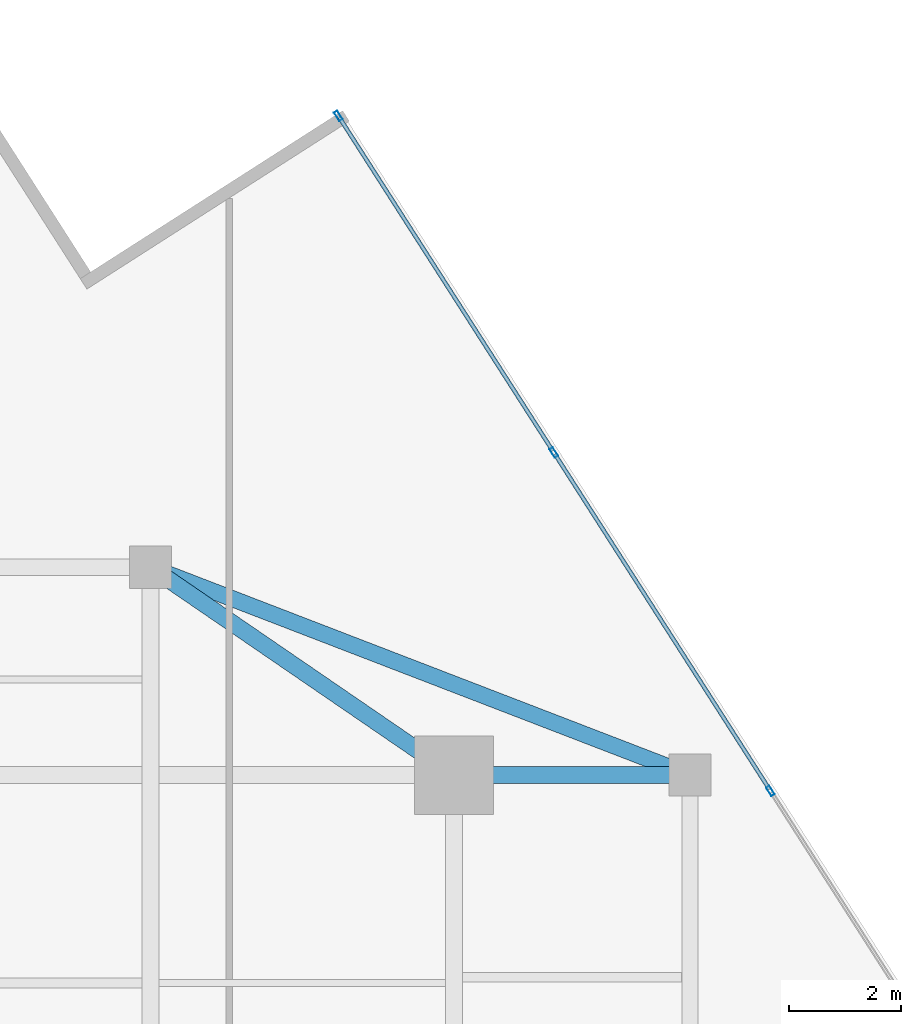
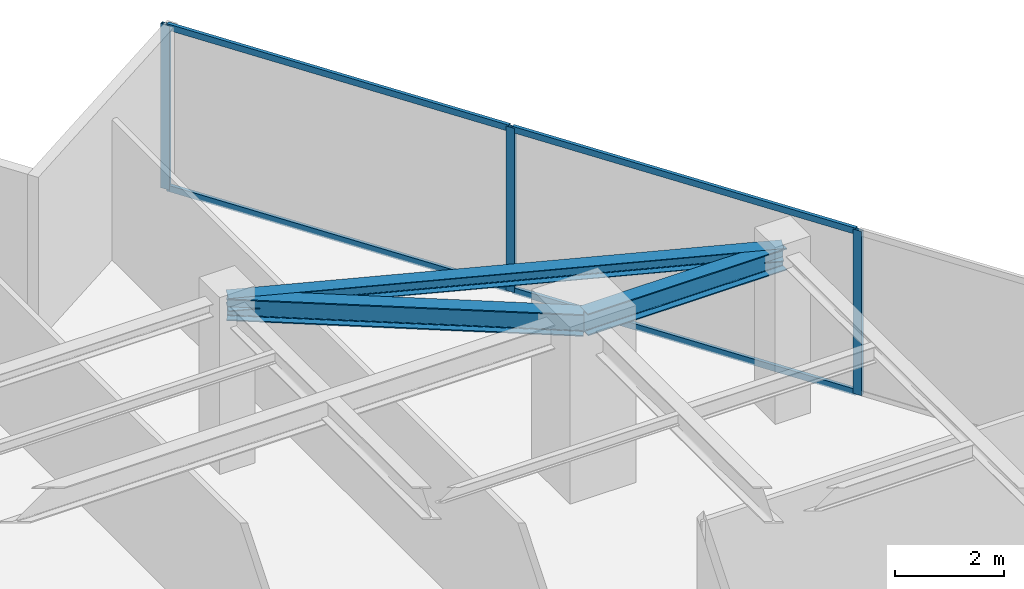
# One storey, part 15 of 20: 7 members, 3 beams, 1 element without a shape of its own.
"""IFC4 building model written with IfcOpenShell, lengths in metres."""

from ifc_helpers import new_model, si_unit, direction, frame, origin, origin_2d, place, context, subcontext, project, spatial, hollow_rectangle, i_section, extrude, source, transform, mapped, material, material_profile, profile_set, type_object, type_shapes, element, aggregate, save


model = new_model("IFC4")

# Units and contexts
model_context = context("Model", 3, precision=1e-05, world=origin(), true_north=direction((0.0, 1.0)))
body_context = subcontext(model_context, "Body", "Model", "MODEL_VIEW")
ifc_project = project(units=[si_unit("LENGTHUNIT", "METRE"), si_unit("AREAUNIT", "SQUARE_METRE"), si_unit("VOLUMEUNIT", "CUBIC_METRE"), si_unit("PLANEANGLEUNIT", "RADIAN"), si_unit("MASSUNIT", "GRAM", prefix="KILO")], contexts=[model_context])

# Site, building, storey
site_placement = place(None, origin())
site = spatial("IfcSite", under=ifc_project, at=site_placement, CompositionType="ELEMENT")
building_placement = place(site_placement, origin())
building = spatial("IfcBuilding", under=site, at=building_placement, Name="Krantzveldt Concourse Tower", CompositionType="ELEMENT")
storey_placement = place(building_placement, frame((0.0, 0.0, 287.14990234375)))
storey = spatial("IfcBuildingStorey", under=building, at=storey_placement, Name="L70", CompositionType="ELEMENT", Elevation=287.14990234375)

# Beams
ifc_material_1 = material(Name="Steel S355JR", Category="steel")
ifc_material_profile_1 = material_profile(ifc_material_1, i_section(OverallWidth=0.300048828125, OverallDepth=0.489990234375, WebThickness=0.011962890625, FlangeThickness=0.02294921875, FilletRadius=0.027099609375, at=origin_2d()), Name="Steel S355JR", Category="steel")
ifc_profile_set_1 = profile_set([ifc_material_profile_1], Name="Steel S355JR - HEA 500")
beam_type_1 = type_object("IfcBeamType", Name="BM-B-HEA500", PredefinedType="BEAM", material=ifc_profile_set_1)
shared_shape_1 = source(origin(), body_context, "Body", "SweptSolid", [
    extrude(i_section(OverallWidth=0.300048828125, OverallDepth=0.489990234375, WebThickness=0.011962890625, FlangeThickness=0.02294921875, FilletRadius=0.027099609375, at=origin_2d()), origin(), (0.0, 0.0, 1.0), 4.199951171875),
])
beam_1_placement = place(storey_placement, frame((46.800048828125, 37.5, 3.425048828125), z_axis=(1.0, 0.0, 0.0), x_axis=(0.0, 1.0, 0.0)))
element("IfcBeam", 1, at=beam_1_placement, inside=storey, type_object=beam_type_1, Name="L70 Tower Girder BR-RR3", PredefinedType="BEAM", context=body_context, shape_type="MappedRepresentation", body=[
    mapped(shared_shape_1, transform((0.0, 0.0, 0.0), x_axis=(1.0, 0.0, 0.0), y_axis=(0.0, 1.0, 0.0), z_axis=(0.0, 0.0, 1.0), scale=1.0)),
])
shared_shape_2 = source(origin(), body_context, "Body", "SweptSolid", [
    extrude(i_section(OverallWidth=0.300048828125, OverallDepth=0.489990234375, WebThickness=0.011962890625, FlangeThickness=0.02294921875, FilletRadius=0.027099609375, at=origin_2d()), origin(), (0.0, 0.0, 1.0), 6.546142578125),
])
type_shapes(beam_type_1, [shared_shape_1, shared_shape_2])
beam_2_placement = place(storey_placement, frame((46.800048828125, 37.5, 3.425048828125), z_axis=(-0.824942999484, 0.565215930068, 0.0), x_axis=(-0.565215930068, -0.824942999484, 0.0)))
element("IfcBeam", 2, at=beam_2_placement, inside=storey, type_object=beam_type_1, Name="L70 Tower Girder BR-RR4", PredefinedType="BEAM", context=body_context, shape_type="MappedRepresentation", body=[
    mapped(shared_shape_2, transform((0.0, 0.0, 0.0), x_axis=(1.0, 0.0, 0.0), y_axis=(0.0, 1.0, 0.0), z_axis=(0.0, 0.0, 1.0), scale=1.0)),
])
ifc_material_profile_2 = material_profile(ifc_material_1, i_section(OverallWidth=0.2900390625, OverallDepth=0.2900390625, WebThickness=0.008544921875, FlangeThickness=0.013916015625, FilletRadius=0.027099609375, at=origin_2d()), Name="Steel S355JR", Category="steel")
ifc_profile_set_2 = profile_set([ifc_material_profile_2], Name="Steel S355JR - HEA 300")
beam_type_2 = type_object("IfcBeamType", Name="BM-SP-HEA300", PredefinedType="SPANDREL", material=ifc_profile_set_2)
shared_shape_3 = source(origin(), body_context, "Body", "SweptSolid", [
    extrude(i_section(OverallWidth=0.2900390625, OverallDepth=0.2900390625, WebThickness=0.008544921875, FlangeThickness=0.013916015625, FilletRadius=0.027099609375, at=origin_2d()), origin(), (0.0, 0.0, 1.0), 10.288330078125),
])
type_shapes(beam_type_2, [shared_shape_3])
beam_3_placement = place(storey_placement, frame((41.39990234375, 41.199951171875, 3.525146484375), z_axis=(0.933097690408, -0.359622997257, 0.0), x_axis=(0.359622997257, 0.933097690408, 0.0)))
element("IfcBeam", 3, at=beam_3_placement, inside=storey, type_object=beam_type_2, Name="L70 Tower Girder SP-R05", PredefinedType="SPANDREL", context=body_context, shape_type="MappedRepresentation", body=[
    mapped(shared_shape_3, transform((0.0, 0.0, 0.0), x_axis=(1.0, 0.0, 0.0), y_axis=(0.0, 1.0, 0.0), z_axis=(0.0, 0.0, 1.0), scale=1.0)),
])

# Curtain wall, members
ifc_material_2 = material(Name="Anodised aluminium 6063-T6", Category="aluminium")
curtain_wall_type = type_object("IfcCurtainWallType", Name="CW4", PredefinedType="USERDEFINED", material=ifc_material_2)
curtain_wall_placement = place(storey_placement, origin())
curtain_wall = element("IfcCurtainWall", 4, at=curtain_wall_placement, inside=storey, type_object=curtain_wall_type, Name="CW-L70-F10", ObjectType="UNITISED CURTAIN WALL", PredefinedType="USERDEFINED")
ifc_material_profile_3 = material_profile(ifc_material_2, hollow_rectangle(XDim=0.070068359375, YDim=0.179931640625, WallThickness=0.0048828125, at=origin_2d()), Name="Anodised aluminium 6063-T6", Category="aluminium")
ifc_profile_set_3 = profile_set([ifc_material_profile_3], Name="Anodised aluminium 6063-T6 - ALU-MULL 180x70x5")
member_type_1 = type_object("IfcMemberType", Name="CW-MUL-180", PredefinedType="MULLION", material=ifc_profile_set_3)
shared_shape_4 = source(origin(), body_context, "Body", "SweptSolid", [
    extrude(hollow_rectangle(XDim=0.070068359375, YDim=0.179931640625, WallThickness=0.0048828125, at=origin_2d()), origin(), (0.0, 0.0, 1.0), 3.670166015625),
])
type_shapes(member_type_1, [shared_shape_4])
member_1_placement = place(storey_placement, frame((52.431640625, 37.218505859375, 0.0), z_axis=(0.0, 0.0, 1.0), x_axis=(-0.842217243088, -0.53913830827, 0.0)))
member_1 = element("IfcMember", 5, at=member_1_placement, type_object=member_type_1, Name="CW-Z56 mullion 3", PredefinedType="MULLION", context=body_context, shape_type="MappedRepresentation", body=[
    mapped(shared_shape_4, transform((0.0, 0.0, 0.0), x_axis=(1.0, 0.0, 0.0), y_axis=(0.0, 1.0, 0.0), z_axis=(0.0, 0.0, 1.0), scale=1.0)),
])
member_2_placement = place(storey_placement, frame((48.576904296875, 43.240478515625, 0.0), z_axis=(0.0, 0.0, 1.0), x_axis=(-0.842217243088, -0.53913830827, 0.0)))
member_2 = element("IfcMember", 6, at=member_2_placement, type_object=member_type_1, Name="CW-Z56 mullion 4", PredefinedType="MULLION", context=body_context, shape_type="MappedRepresentation", body=[
    mapped(shared_shape_4, transform((0.0, 0.0, 0.0), x_axis=(1.0, 0.0, 0.0), y_axis=(0.0, 1.0, 0.0), z_axis=(0.0, 0.0, 1.0), scale=1.0)),
])
member_3_placement = place(storey_placement, frame((44.740966796875, 49.23291015625, 0.0), z_axis=(0.0, 0.0, 1.0), x_axis=(-0.842217243088, -0.53913830827, 0.0)))
member_3 = element("IfcMember", 7, at=member_3_placement, type_object=member_type_1, Name="CW-Z56 mullion 5", PredefinedType="MULLION", context=body_context, shape_type="MappedRepresentation", body=[
    mapped(shared_shape_4, transform((0.0, 0.0, 0.0), x_axis=(1.0, 0.0, 0.0), y_axis=(0.0, 1.0, 0.0), z_axis=(0.0, 0.0, 1.0), scale=1.0)),
])
ifc_material_profile_4 = material_profile(ifc_material_2, hollow_rectangle(XDim=0.070068359375, YDim=0.139892578125, WallThickness=0.0048828125, at=origin_2d()), Name="Anodised aluminium 6063-T6", Category="aluminium")
ifc_profile_set_4 = profile_set([ifc_material_profile_4], Name="Anodised aluminium 6063-T6 - ALU-TRAN 140x70x5")
member_type_2 = type_object("IfcMemberType", Name="CW-TRN-150", PredefinedType="USERDEFINED", material=ifc_profile_set_4)
shared_shape_5 = source(origin(), body_context, "Body", "SweptSolid", [
    extrude(hollow_rectangle(XDim=0.070068359375, YDim=0.139892578125, WallThickness=0.0048828125, at=origin_2d()), origin(), (0.0, 0.0, 1.0), 7.044921875),
])
member_4_placement = place(storey_placement, frame((48.557861328125, 43.27001953125, 0.03515625), z_axis=(-0.539129416232, 0.842222935186, 0.0), x_axis=(-0.842222935186, -0.539129416232, 0.0)))
member_4 = element("IfcMember", 8, at=member_4_placement, type_object=member_type_2, Name="CW-Z56 transom 4.1", ObjectType="TRANSOM", PredefinedType="USERDEFINED", context=body_context, shape_type="MappedRepresentation", body=[
    mapped(shared_shape_5, transform((0.0, 0.0, 0.0), x_axis=(1.0, 0.0, 0.0), y_axis=(0.0, 1.0, 0.0), z_axis=(0.0, 0.0, 1.0), scale=1.0)),
])
member_5_placement = place(storey_placement, frame((48.557861328125, 43.27001953125, 3.635009765625), z_axis=(-0.539129416232, 0.842222935186, 0.0), x_axis=(-0.842222935186, -0.539129416232, 0.0)))
member_5 = element("IfcMember", 9, at=member_5_placement, type_object=member_type_2, Name="CW-Z56 transom 4.2", ObjectType="TRANSOM", PredefinedType="USERDEFINED", context=body_context, shape_type="MappedRepresentation", body=[
    mapped(shared_shape_5, transform((0.0, 0.0, 0.0), x_axis=(1.0, 0.0, 0.0), y_axis=(0.0, 1.0, 0.0), z_axis=(0.0, 0.0, 1.0), scale=1.0)),
])
shared_shape_6 = source(origin(), body_context, "Body", "SweptSolid", [
    extrude(hollow_rectangle(XDim=0.070068359375, YDim=0.139892578125, WallThickness=0.0048828125, at=origin_2d()), origin(), (0.0, 0.0, 1.0), 7.080078125),
])
type_shapes(member_type_2, [shared_shape_5, shared_shape_6])
member_6_placement = place(storey_placement, frame((52.412841796875, 37.248046875, 0.03515625), z_axis=(-0.539142738786, 0.842214406915, 0.0), x_axis=(-0.842214406915, -0.539142738786, 0.0)))
member_6 = element("IfcMember", 10, at=member_6_placement, type_object=member_type_2, Name="CW-Z56 transom 3.1", ObjectType="TRANSOM", PredefinedType="USERDEFINED", context=body_context, shape_type="MappedRepresentation", body=[
    mapped(shared_shape_6, transform((0.0, 0.0, 0.0), x_axis=(1.0, 0.0, 0.0), y_axis=(0.0, 1.0, 0.0), z_axis=(0.0, 0.0, 1.0), scale=1.0)),
])
member_7_placement = place(storey_placement, frame((52.412841796875, 37.248046875, 3.635009765625), z_axis=(-0.539142738786, 0.842214406915, 0.0), x_axis=(-0.842214406915, -0.539142738786, 0.0)))
member_7 = element("IfcMember", 11, at=member_7_placement, type_object=member_type_2, Name="CW-Z56 transom 3.2", ObjectType="TRANSOM", PredefinedType="USERDEFINED", context=body_context, shape_type="MappedRepresentation", body=[
    mapped(shared_shape_6, transform((0.0, 0.0, 0.0), x_axis=(1.0, 0.0, 0.0), y_axis=(0.0, 1.0, 0.0), z_axis=(0.0, 0.0, 1.0), scale=1.0)),
])
aggregate(curtain_wall, [member_1, member_2, member_3, member_6, member_7, member_4, member_5])

save(model, "model.ifc")
